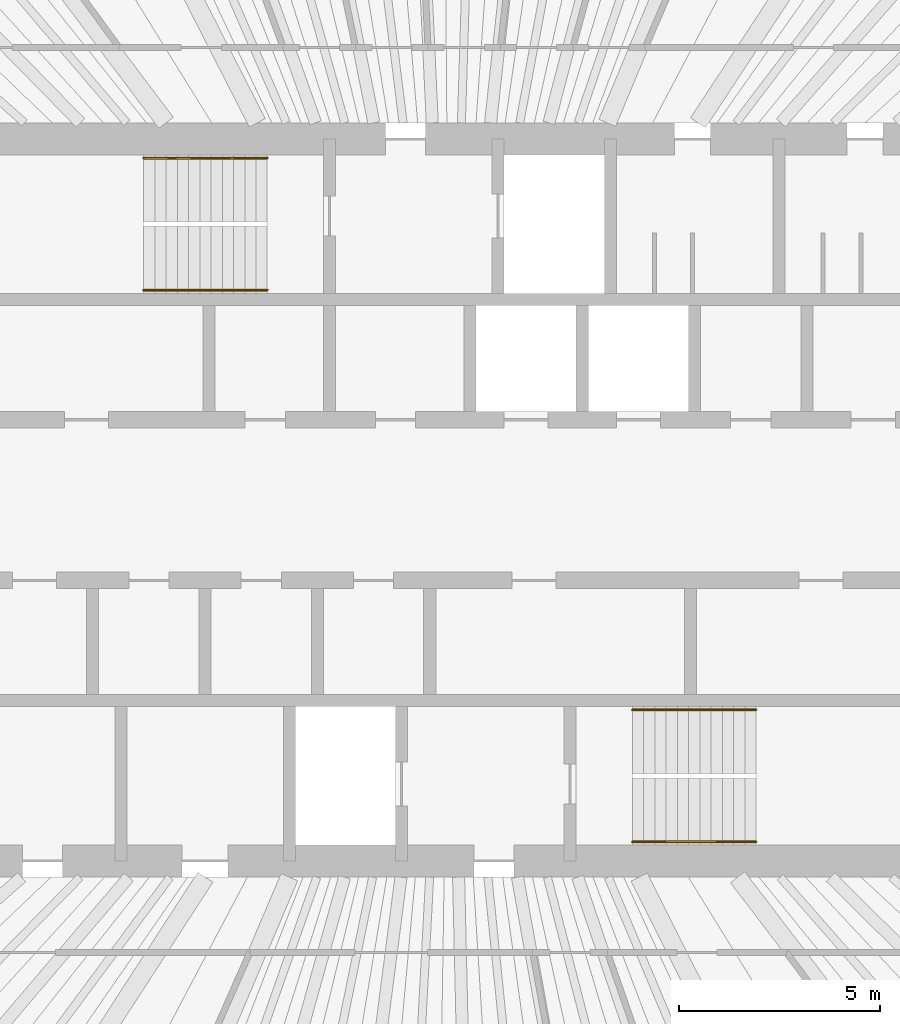
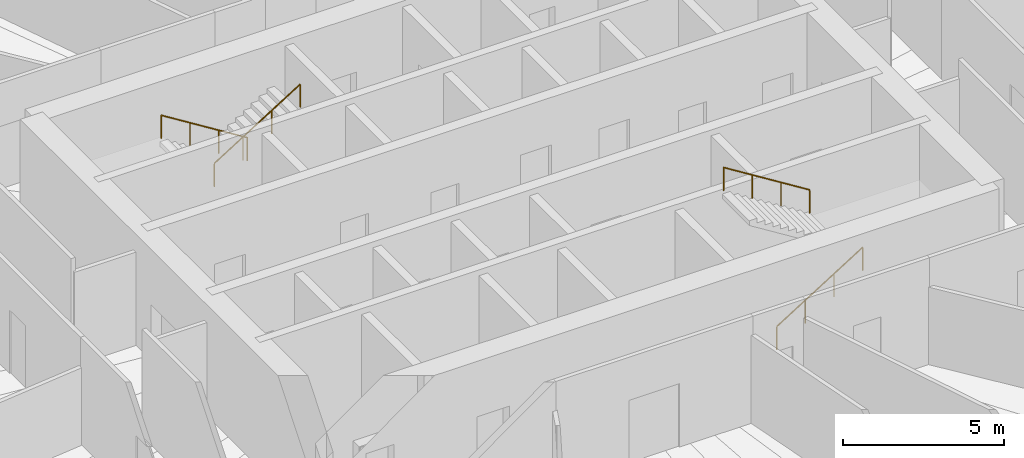
# One storey, part 14 of 14: 4 railings.
"""IFC4 building model written with IfcOpenShell, lengths in metres."""

from ifc_helpers import new_model, si_unit, direction, frame, origin, origin_2d, place, context, subcontext, project, spatial, circle, extrude, material, type_object, element, save


model = new_model("IFC4")

# Units and contexts
model_context = context("Model", 3, precision=1e-05, world=origin(), true_north=direction((0.0, 1.0)))
body_context = subcontext(model_context, "Body", "Model", "MODEL_VIEW")
ifc_project = project(units=[si_unit("LENGTHUNIT", "METRE"), si_unit("AREAUNIT", "SQUARE_METRE"), si_unit("VOLUMEUNIT", "CUBIC_METRE"), si_unit("PLANEANGLEUNIT", "RADIAN"), si_unit("MASSUNIT", "GRAM", prefix="KILO")], contexts=[model_context])

# Site, building, storey
site_placement = place(None, origin())
site = spatial("IfcSite", under=ifc_project, at=site_placement, CompositionType="ELEMENT")
building_placement = place(site_placement, origin())
building = spatial("IfcBuilding", under=site, at=building_placement, Name="Qingtian Harvest Tower", CompositionType="ELEMENT")
storey_placement = place(building_placement, frame((0.0, 0.0, 316.60009765625)))
storey = spatial("IfcBuildingStorey", under=building, at=storey_placement, Name="L70", CompositionType="ELEMENT", Elevation=316.60009765625)

# Railings
ifc_material = material(Name="Stainless steel handrail", Category="steel")
railing_type = type_object("IfcRailingType", Name="Handrail HR1", PredefinedType="HANDRAIL", material=ifc_material)
railing_1_placement = place(storey_placement, frame((-4.550048828125, 8.52001953125, 0.1748046875)))
element("IfcRailing", 1, at=railing_1_placement, inside=storey, type_object=railing_type, Name="Handrail HR1 S1 flight 1", PredefinedType="HANDRAIL", context=body_context, shape_type="SweptSolid", body=[
    extrude(circle(Radius=0.02392578125, at=origin_2d()), frame((0.0, 0.0, 0.8759765625), z_axis=(-0.847979421464, 0.0, 0.530029150871), x_axis=(0.0, -1.0, 0.0)), (0.0, 0.0, 1.0), 3.632080078125),
    extrude(circle(Radius=0.02099609375, at=origin_2d()), origin(), (0.0, 0.0, 1.0), 0.851806640625),
    extrude(circle(Radius=0.02099609375, at=origin_2d()), frame((-1.026611328125, 0.0, 0.6416015625)), (0.0, 0.0, 1.0), 0.851806640625),
    extrude(circle(Radius=0.02099609375, at=origin_2d()), frame((-2.05322265625, 0.0, 1.283447265625)), (0.0, 0.0, 1.0), 0.851806640625),
    extrude(circle(Radius=0.02099609375, at=origin_2d()), frame((-3.079833984375, 0.0, 1.925048828125)), (0.0, 0.0, 1.0), 0.851806640625),
])
for number, where, name in (
    (2, (-7.6298828125, 5.22998046875, 2.27490234375), "Handrail HR1 S1 flight 2"),
    (3, (4.550048828125, -8.52001953125, 0.1748046875), "Handrail HR1 S2 flight 1"),
):
    element("IfcRailing", number, at=place(storey_placement, frame(where)), inside=storey, type_object=railing_type, Name=name, PredefinedType="HANDRAIL", context=body_context, shape_type="SweptSolid", body=[
        extrude(circle(Radius=0.02392578125, at=origin_2d()), frame((0.0, 0.0, 0.8759765625), z_axis=(0.847979421464, 0.0, 0.530029150871), x_axis=(0.0, 1.0, 0.0)), (0.0, 0.0, 1.0), 3.632080078125),
        extrude(circle(Radius=0.02099609375, at=origin_2d()), origin(), (0.0, 0.0, 1.0), 0.851806640625),
        extrude(circle(Radius=0.02099609375, at=origin_2d()), frame((1.026611328125, 0.0, 0.6416015625)), (0.0, 0.0, 1.0), 0.851806640625),
        extrude(circle(Radius=0.02099609375, at=origin_2d()), frame((2.05322265625, 0.0, 1.283447265625)), (0.0, 0.0, 1.0), 0.851806640625),
        extrude(circle(Radius=0.02099609375, at=origin_2d()), frame((3.079833984375, 0.0, 1.925048828125)), (0.0, 0.0, 1.0), 0.851806640625),
    ])
railing_2_placement = place(storey_placement, frame((7.6298828125, -5.22998046875, 2.27490234375)))
element("IfcRailing", 4, at=railing_2_placement, inside=storey, type_object=railing_type, Name="Handrail HR1 S2 flight 2", PredefinedType="HANDRAIL", context=body_context, shape_type="SweptSolid", body=[
    extrude(circle(Radius=0.02392578125, at=origin_2d()), frame((0.0, 0.0, 0.8759765625), z_axis=(-0.847979421464, 0.0, 0.530029150871), x_axis=(0.0, -1.0, 0.0)), (0.0, 0.0, 1.0), 3.632080078125),
    extrude(circle(Radius=0.02099609375, at=origin_2d()), origin(), (0.0, 0.0, 1.0), 0.851806640625),
    extrude(circle(Radius=0.02099609375, at=origin_2d()), frame((-1.026611328125, 0.0, 0.6416015625)), (0.0, 0.0, 1.0), 0.851806640625),
    extrude(circle(Radius=0.02099609375, at=origin_2d()), frame((-2.05322265625, 0.0, 1.283447265625)), (0.0, 0.0, 1.0), 0.851806640625),
    extrude(circle(Radius=0.02099609375, at=origin_2d()), frame((-3.079833984375, 0.0, 1.925048828125)), (0.0, 0.0, 1.0), 0.851806640625),
])

save(model, "model.ifc")
